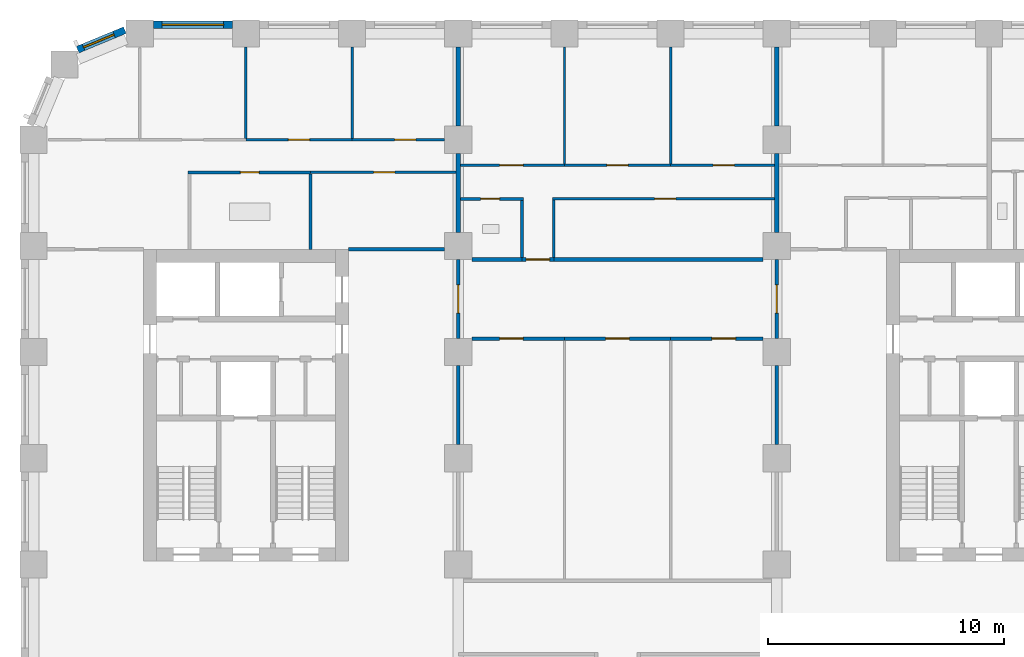
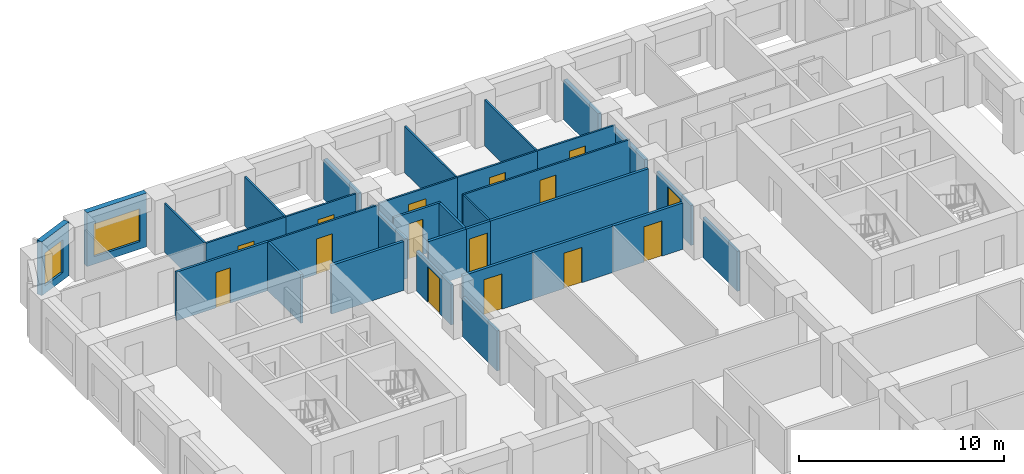
# One storey, part 7 of 13: 33 walls, 15 doors, 2 windows, 17 openings.
"""IFC4 building model written with IfcOpenShell, lengths in metres."""

from ifc_helpers import new_model, si_unit, direction, frame, frame_2d, origin, place, context, subcontext, project, spatial, rectangle, extrude, material, layer, layer_set, type_object, element, fill, save


model = new_model("IFC4")

# Units and contexts
model_context = context("Model", 3, precision=1e-05, world=origin(), true_north=direction((0.0, 1.0)))
body_context = subcontext(model_context, "Body", "Model", "MODEL_VIEW")
ifc_project = project(units=[si_unit("LENGTHUNIT", "METRE"), si_unit("AREAUNIT", "SQUARE_METRE"), si_unit("VOLUMEUNIT", "CUBIC_METRE"), si_unit("PLANEANGLEUNIT", "RADIAN"), si_unit("MASSUNIT", "GRAM", prefix="KILO")], contexts=[model_context])

# Site, building, storey
site_placement = place(None, origin())
site = spatial("IfcSite", under=ifc_project, at=site_placement, CompositionType="ELEMENT")
building_placement = place(site_placement, origin())
building = spatial("IfcBuilding", under=site, at=building_placement, Name="Girih Gate Residences", CompositionType="ELEMENT")
storey_placement = place(building_placement, frame((0.0, 0.0, 89.60009765625)))
storey = spatial("IfcBuildingStorey", under=building, at=storey_placement, Name="L24", CompositionType="ELEMENT", Elevation=89.60009765625)

# Walls
ifc_material_1 = material(Name="Gypsum board on steel studs", Category="steel")
ifc_layer_1 = layer(ifc_material_1, 0.14990234375)
ifc_layer_set_1 = layer_set([ifc_layer_1], Name="Compartment wall 150 mm")
wall_type_1 = type_object("IfcWallType", Name="Compartment wall 150 mm", PredefinedType="PARTITIONING", material=ifc_layer_set_1)
wall_1_placement = place(storey_placement, frame((13.35009765625, 40.35009765625, 0.0), z_axis=(0.0, 0.0, 1.0), x_axis=(1.0, 0.0, 0.0)))
element("IfcWall", 1, at=wall_1_placement, inside=storey, type_object=wall_type_1, Name="L24 partition", PredefinedType="PARTITIONING", context=body_context, shape_type="SweptSolid", body=[
    extrude(rectangle(XDim=4.074951171875, YDim=0.14990234375, at=frame_2d((2.03759765625, 0.0))), origin(), (0.0, 0.0, 1.0), 2.89990234375),
])
wall_2_placement = place(storey_placement, frame((18.574951171875, 39.925048828125, 0.0), z_axis=(0.0, 0.0, 1.0), x_axis=(1.0, 0.0, 0.0)))
element("IfcWall", 2, at=wall_2_placement, inside=storey, type_object=wall_type_1, Name="L24 partition", PredefinedType="PARTITIONING", context=body_context, shape_type="SweptSolid", body=[
    extrude(rectangle(XDim=2.125, YDim=0.14990234375, at=frame_2d((1.0625, 0.0))), origin(), (0.0, 0.0, 1.0), 2.75),
])

# Wall, opening, door
wall_3_placement = place(storey_placement, frame((20.699951171875, 39.925048828125, 0.0), z_axis=(0.0, 0.0, 1.0), x_axis=(1.0, 0.0, 0.0)))
wall_3 = element("IfcWall", 3, at=wall_3_placement, inside=storey, type_object=wall_type_1, Name="L24 partition", PredefinedType="PARTITIONING", context=body_context, shape_type="SweptSolid", body=[
    extrude(rectangle(XDim=1.35009765625, YDim=0.14990234375, at=frame_2d((0.675048828125, 0.0))), origin(), (0.0, 0.0, 1.0), 2.75),
])
opening_1_placement = place(wall_3_placement, frame((0.175048828125, 0.0, 0.0)))
opening_1 = element("IfcOpeningElement", 4, at=opening_1_placement, cuts=wall_3, Name="Opening A24-040", PredefinedType="OPENING", context=body_context, shape_type="SweptSolid", body=[
    extrude(rectangle(XDim=1.0, YDim=2.10009765625, at=frame_2d((0.5, 1.050048828125))), frame((0.0, 0.0849609375, 0.0), z_axis=(0.0, -1.0, 0.0), x_axis=(1.0, 0.0, 0.0)), (0.0, 0.0, 1.0), 0.169921875),
])
ifc_material_2 = material(Name="Timber, fire-rated core", Category="wood")
door_type_1 = type_object("IfcDoorType", Name="Flat entrance door 1000x2100 FD30S", OperationType="NOTDEFINED", PredefinedType="DOOR", material=ifc_material_2)
door_1_placement = place(opening_1_placement, origin())
door_1 = element("IfcDoor", 5, at=door_1_placement, inside=storey, type_object=door_type_1, Name="Door A24-040", OperationType="SINGLE_SWING_RIGHT", OverallHeight=2.10009765625, OverallWidth=1.0, PredefinedType="DOOR", context=body_context, shape_type="SweptSolid", body=[
    extrude(rectangle(XDim=1.0, YDim=2.10009765625, at=frame_2d((0.5, 1.050048828125))), frame((0.0, 0.02490234375, 0.0), z_axis=(0.0, -1.0, 0.0), x_axis=(1.0, 0.0, 0.0)), (0.0, 0.0, 1.0), 0.050048828125),
])
fill(opening_1, door_1)

# Wall
wall_4_placement = place(storey_placement, frame((22.050048828125, 39.925048828125, 0.0), z_axis=(0.0, 0.0, 1.0), x_axis=(1.0, 0.0, 0.0)))
element("IfcWall", 6, at=wall_4_placement, inside=storey, type_object=wall_type_1, Name="L24 partition", PredefinedType="PARTITIONING", context=body_context, shape_type="SweptSolid", body=[
    extrude(rectangle(XDim=8.875, YDim=0.14990234375, at=frame_2d((4.4375, 0.0))), origin(), (0.0, 0.0, 1.0), 2.75),
])

# Wall, opening, door
wall_5_placement = place(storey_placement, frame((22.5, 36.574951171875, 0.0), z_axis=(0.0, 0.0, 1.0), x_axis=(-1.0, 0.0, 0.0)))
wall_5 = element("IfcWall", 7, at=wall_5_placement, inside=storey, type_object=wall_type_1, Name="L24 partition", PredefinedType="PARTITIONING", context=body_context, shape_type="SweptSolid", body=[
    extrude(rectangle(XDim=3.925048828125, YDim=0.14990234375, at=frame_2d((1.96240234375, 0.0))), origin(), (0.0, 0.0, 1.0), 2.75),
])
opening_2_placement = place(wall_5_placement, frame((1.75, 0.0, 0.0)))
opening_2 = element("IfcOpeningElement", 8, at=opening_2_placement, cuts=wall_5, Name="Opening A24-041", PredefinedType="OPENING", context=body_context, shape_type="SweptSolid", body=[
    extrude(rectangle(XDim=1.0, YDim=2.10009765625, at=frame_2d((0.5, 1.050048828125))), frame((0.0, 0.0849609375, 0.0), z_axis=(0.0, -1.0, 0.0), x_axis=(1.0, 0.0, 0.0)), (0.0, 0.0, 1.0), 0.169921875),
])
door_type_2 = type_object("IfcDoorType", Name="Amenity room door 1000x2100 FD30S", OperationType="NOTDEFINED", PredefinedType="DOOR", material=ifc_material_2)
door_2_placement = place(opening_2_placement, origin())
door_2 = element("IfcDoor", 9, at=door_2_placement, inside=storey, type_object=door_type_2, Name="Door A24-041", OperationType="SINGLE_SWING_RIGHT", OverallHeight=2.10009765625, OverallWidth=1.0, PredefinedType="DOOR", context=body_context, shape_type="SweptSolid", body=[
    extrude(rectangle(XDim=1.0, YDim=2.10009765625, at=frame_2d((0.5, 1.050048828125))), frame((0.0, 0.02490234375, 0.0), z_axis=(0.0, -1.0, 0.0), x_axis=(1.0, 0.0, 0.0)), (0.0, 0.0, 1.0), 0.050048828125),
])
fill(opening_2, door_2)

wall_6_placement = place(storey_placement, frame((27.0, 36.574951171875, 0.0), z_axis=(0.0, 0.0, 1.0), x_axis=(-1.0, 0.0, 0.0)))
wall_6 = element("IfcWall", 10, at=wall_6_placement, inside=storey, type_object=wall_type_1, Name="L24 partition", PredefinedType="PARTITIONING", context=body_context, shape_type="SweptSolid", body=[
    extrude(rectangle(XDim=4.5, YDim=0.14990234375, at=frame_2d((2.25, 0.0))), origin(), (0.0, 0.0, 1.0), 2.75),
])
opening_3_placement = place(wall_6_placement, frame((1.75, 0.0, 0.0)))
opening_3 = element("IfcOpeningElement", 11, at=opening_3_placement, cuts=wall_6, Name="Opening A24-042", PredefinedType="OPENING", context=body_context, shape_type="SweptSolid", body=[
    extrude(rectangle(XDim=1.0, YDim=2.10009765625, at=frame_2d((0.5, 1.050048828125))), frame((0.0, 0.0849609375, 0.0), z_axis=(0.0, -1.0, 0.0), x_axis=(1.0, 0.0, 0.0)), (0.0, 0.0, 1.0), 0.169921875),
])
door_3_placement = place(opening_3_placement, origin())
door_3 = element("IfcDoor", 12, at=door_3_placement, inside=storey, type_object=door_type_2, Name="Door A24-042", OperationType="SINGLE_SWING_RIGHT", OverallHeight=2.10009765625, OverallWidth=1.0, PredefinedType="DOOR", context=body_context, shape_type="SweptSolid", body=[
    extrude(rectangle(XDim=1.0, YDim=2.10009765625, at=frame_2d((0.5, 1.050048828125))), frame((0.0, 0.02490234375, 0.0), z_axis=(0.0, -1.0, 0.0), x_axis=(1.0, 0.0, 0.0)), (0.0, 0.0, 1.0), 0.050048828125),
])
fill(opening_3, door_3)

wall_7_placement = place(storey_placement, frame((30.925048828125, 36.574951171875, 0.0), z_axis=(0.0, 0.0, 1.0), x_axis=(-1.0, 0.0, 0.0)))
wall_7 = element("IfcWall", 13, at=wall_7_placement, inside=storey, type_object=wall_type_1, Name="L24 partition", PredefinedType="PARTITIONING", context=body_context, shape_type="SweptSolid", body=[
    extrude(rectangle(XDim=3.925048828125, YDim=0.14990234375, at=frame_2d((1.96240234375, 0.0))), origin(), (0.0, 0.0, 1.0), 2.75),
])
opening_4_placement = place(wall_7_placement, frame((1.175048828125, 0.0, 0.0)))
opening_4 = element("IfcOpeningElement", 14, at=opening_4_placement, cuts=wall_7, Name="Opening A24-043", PredefinedType="OPENING", context=body_context, shape_type="SweptSolid", body=[
    extrude(rectangle(XDim=1.0, YDim=2.10009765625, at=frame_2d((0.5, 1.050048828125))), frame((0.0, 0.0849609375, 0.0), z_axis=(0.0, -1.0, 0.0), x_axis=(1.0, 0.0, 0.0)), (0.0, 0.0, 1.0), 0.169921875),
])
door_4_placement = place(opening_4_placement, origin())
door_4 = element("IfcDoor", 15, at=door_4_placement, inside=storey, type_object=door_type_2, Name="Door A24-043", OperationType="SINGLE_SWING_LEFT", OverallHeight=2.10009765625, OverallWidth=1.0, PredefinedType="DOOR", context=body_context, shape_type="SweptSolid", body=[
    extrude(rectangle(XDim=1.0, YDim=2.10009765625, at=frame_2d((0.5, 1.050048828125))), frame((0.0, 0.02490234375, 0.0), z_axis=(0.0, -1.0, 0.0), x_axis=(1.0, 0.0, 0.0)), (0.0, 0.0, 1.0), 0.050048828125),
])
fill(opening_4, door_4)

wall_8_placement = place(storey_placement, frame((31.5, 36.574951171875, 0.0), z_axis=(0.0, 0.0, 1.0), x_axis=(0.0, 1.0, 0.0)))
wall_8 = element("IfcWall", 16, at=wall_8_placement, inside=storey, type_object=wall_type_1, Name="L24 partition", PredefinedType="PARTITIONING", context=body_context, shape_type="SweptSolid", body=[
    extrude(rectangle(XDim=3.35009765625, YDim=0.14990234375, at=frame_2d((1.675048828125, 0.0))), origin(), (0.0, 0.0, 1.0), 2.3798828125),
])
opening_5_placement = place(wall_8_placement, frame((1.074951171875, 0.0, 0.0)))
opening_5 = element("IfcOpeningElement", 17, at=opening_5_placement, cuts=wall_8, Name="Opening A24-044", PredefinedType="OPENING", context=body_context, shape_type="SweptSolid", body=[
    extrude(rectangle(XDim=1.199951171875, YDim=2.10009765625, at=frame_2d((0.60009765625, 1.050048828125))), frame((0.0, 0.0849609375, 0.0), z_axis=(0.0, -1.0, 0.0), x_axis=(1.0, 0.0, 0.0)), (0.0, 0.0, 1.0), 0.169921875),
])
door_type_3 = type_object("IfcDoorType", Name="Corridor fire door 1200x2100 FD30S", OperationType="NOTDEFINED", PredefinedType="DOOR", material=ifc_material_2)
door_5_placement = place(opening_5_placement, origin())
door_5 = element("IfcDoor", 18, at=door_5_placement, inside=storey, type_object=door_type_3, Name="Door A24-044", OperationType="SINGLE_SWING_LEFT", OverallHeight=2.10009765625, OverallWidth=1.199951171875, PredefinedType="DOOR", context=body_context, shape_type="SweptSolid", body=[
    extrude(rectangle(XDim=1.199951171875, YDim=2.10009765625, at=frame_2d((0.60009765625, 1.050048828125))), frame((0.0, 0.02490234375, 0.0), z_axis=(0.0, -1.0, 0.0), x_axis=(1.0, 0.0, 0.0)), (0.0, 0.0, 1.0), 0.050048828125),
])
fill(opening_5, door_5)

wall_9_placement = place(storey_placement, frame((18.0, 39.925048828125, 0.0), z_axis=(0.0, 0.0, 1.0), x_axis=(0.0, -1.0, 0.0)))
wall_9 = element("IfcWall", 19, at=wall_9_placement, inside=storey, type_object=wall_type_1, Name="L24 partition", PredefinedType="PARTITIONING", context=body_context, shape_type="SweptSolid", body=[
    extrude(rectangle(XDim=3.35009765625, YDim=0.14990234375, at=frame_2d((1.675048828125, 0.0))), origin(), (0.0, 0.0, 1.0), 2.3798828125),
])
opening_6_placement = place(wall_9_placement, frame((1.074951171875, 0.0, 0.0)))
opening_6 = element("IfcOpeningElement", 20, at=opening_6_placement, cuts=wall_9, Name="Opening A24-045", PredefinedType="OPENING", context=body_context, shape_type="SweptSolid", body=[
    extrude(rectangle(XDim=1.199951171875, YDim=2.10009765625, at=frame_2d((0.60009765625, 1.050048828125))), frame((0.0, 0.0849609375, 0.0), z_axis=(0.0, -1.0, 0.0), x_axis=(1.0, 0.0, 0.0)), (0.0, 0.0, 1.0), 0.169921875),
])
door_6_placement = place(opening_6_placement, origin())
door_6 = element("IfcDoor", 21, at=door_6_placement, inside=storey, type_object=door_type_3, Name="Door A24-045", OperationType="SINGLE_SWING_LEFT", OverallHeight=2.10009765625, OverallWidth=1.199951171875, PredefinedType="DOOR", context=body_context, shape_type="SweptSolid", body=[
    extrude(rectangle(XDim=1.199951171875, YDim=2.10009765625, at=frame_2d((0.60009765625, 1.050048828125))), frame((0.0, 0.02490234375, 0.0), z_axis=(0.0, -1.0, 0.0), x_axis=(1.0, 0.0, 0.0)), (0.0, 0.0, 1.0), 0.050048828125),
])
fill(opening_6, door_6)

# Walls
for number, where, z_axis, x_axis, name in (
    (22, (18.0, 32.074951171875, 0.0), (0.0, 0.0, 1.0), (0.0, 1.0, 0.0), "L24 partition"),
    (23, (31.5, 32.074951171875, 0.0), (0.0, 0.0, 1.0), (0.0, 1.0, 0.0), "L24 partition"),
):
    element("IfcWall", number, at=place(storey_placement, frame(where, z_axis=z_axis, x_axis=x_axis)), inside=storey, type_object=wall_type_1, Name=name, PredefinedType="PARTITIONING", context=body_context, shape_type="SweptSolid", body=[
        extrude(rectangle(XDim=3.35009765625, YDim=0.14990234375, at=frame_2d((1.675048828125, 0.0))), origin(), (0.0, 0.0, 1.0), 2.3798828125),
    ])
ifc_layer_2 = layer(ifc_material_1, 0.10009765625)
ifc_layer_set_2 = layer_set([ifc_layer_2], Name="Partition 100 mm")
wall_type_2 = type_object("IfcWallType", Name="Partition 100 mm", PredefinedType="PARTITIONING", material=ifc_layer_set_2)
for number, where, z_axis, x_axis, name in (
    (24, (9.0, 45.050048828125, 0.0), (0.0, 0.0, 1.0), (0.0, 1.0, 0.0), "L24 partition"),
    (25, (13.5, 45.050048828125, 0.0), (0.0, 0.0, 1.0), (0.0, 1.0, 0.0), "L24 partition"),
):
    element("IfcWall", number, at=place(storey_placement, frame(where, z_axis=z_axis, x_axis=x_axis)), inside=storey, type_object=wall_type_2, Name=name, PredefinedType="PARTITIONING", context=body_context, shape_type="SweptSolid", body=[
        extrude(rectangle(XDim=3.875, YDim=0.10009765625, at=frame_2d((1.9375, 0.0))), origin(), (0.0, 0.0, 1.0), 2.89990234375),
    ])

# Wall, opening, door
wall_10_placement = place(storey_placement, frame((9.0, 45.0, 0.0), z_axis=(0.0, 0.0, 1.0), x_axis=(1.0, 0.0, 0.0)))
wall_10 = element("IfcWall", 26, at=wall_10_placement, inside=storey, type_object=wall_type_2, Name="L24 partition", PredefinedType="PARTITIONING", context=body_context, shape_type="SweptSolid", body=[
    extrude(rectangle(XDim=4.5, YDim=0.10009765625, at=frame_2d((2.25, 0.0))), origin(), (0.0, 0.0, 1.0), 2.89990234375),
])
opening_7_placement = place(wall_10_placement, frame((1.800048828125, 0.0, 0.0)))
opening_7 = element("IfcOpeningElement", 27, at=opening_7_placement, cuts=wall_10, Name="Opening A24-010", PredefinedType="OPENING", context=body_context, shape_type="SweptSolid", body=[
    extrude(rectangle(XDim=0.89990234375, YDim=2.10009765625, at=frame_2d((0.449951171875, 1.050048828125))), frame((0.0, 0.06005859375, 0.0), z_axis=(0.0, -1.0, 0.0), x_axis=(1.0, 0.0, 0.0)), (0.0, 0.0, 1.0), 0.1201171875),
])
ifc_material_3 = material(Name="Timber", Category="wood")
door_type_4 = type_object("IfcDoorType", Name="Bedroom door 900x2100", OperationType="NOTDEFINED", PredefinedType="DOOR", material=ifc_material_3)
door_7_placement = place(opening_7_placement, origin())
door_7 = element("IfcDoor", 28, at=door_7_placement, inside=storey, type_object=door_type_4, Name="Door A24-010", OperationType="SINGLE_SWING_LEFT", OverallHeight=2.10009765625, OverallWidth=0.89990234375, PredefinedType="DOOR", context=body_context, shape_type="SweptSolid", body=[
    extrude(rectangle(XDim=0.89990234375, YDim=2.10009765625, at=frame_2d((0.449951171875, 1.050048828125))), frame((0.0, 0.02490234375, 0.0), z_axis=(0.0, -1.0, 0.0), x_axis=(1.0, 0.0, 0.0)), (0.0, 0.0, 1.0), 0.050048828125),
])
fill(opening_7, door_7)

wall_11_placement = place(storey_placement, frame((13.5, 45.0, 0.0), z_axis=(0.0, 0.0, 1.0), x_axis=(1.0, 0.0, 0.0)))
wall_11 = element("IfcWall", 29, at=wall_11_placement, inside=storey, type_object=wall_type_2, Name="L24 partition", PredefinedType="PARTITIONING", context=body_context, shape_type="SweptSolid", body=[
    extrude(rectangle(XDim=3.925048828125, YDim=0.10009765625, at=frame_2d((1.96240234375, 0.0))), origin(), (0.0, 0.0, 1.0), 2.89990234375),
])
opening_8_placement = place(wall_11_placement, frame((1.800048828125, 0.0, 0.0)))
opening_8 = element("IfcOpeningElement", 30, at=opening_8_placement, cuts=wall_11, Name="Opening A24-011", PredefinedType="OPENING", context=body_context, shape_type="SweptSolid", body=[
    extrude(rectangle(XDim=0.89990234375, YDim=2.10009765625, at=frame_2d((0.449951171875, 1.050048828125))), frame((0.0, 0.06005859375, 0.0), z_axis=(0.0, -1.0, 0.0), x_axis=(1.0, 0.0, 0.0)), (0.0, 0.0, 1.0), 0.1201171875),
])
door_8_placement = place(opening_8_placement, origin())
door_8 = element("IfcDoor", 31, at=door_8_placement, inside=storey, type_object=door_type_4, Name="Door A24-011", OperationType="SINGLE_SWING_RIGHT", OverallHeight=2.10009765625, OverallWidth=0.89990234375, PredefinedType="DOOR", context=body_context, shape_type="SweptSolid", body=[
    extrude(rectangle(XDim=0.89990234375, YDim=2.10009765625, at=frame_2d((0.449951171875, 1.050048828125))), frame((0.0, 0.02490234375, 0.0), z_axis=(0.0, -1.0, 0.0), x_axis=(1.0, 0.0, 0.0)), (0.0, 0.0, 1.0), 0.050048828125),
])
fill(opening_8, door_8)

wall_12_placement = place(storey_placement, frame((17.89990234375, 43.6201171875, 0.0), z_axis=(0.0, 0.0, 1.0), x_axis=(-1.0, 0.0, 0.0)))
wall_12 = element("IfcWall", 32, at=wall_12_placement, inside=storey, type_object=wall_type_2, Name="L24 partition", PredefinedType="PARTITIONING", context=body_context, shape_type="SweptSolid", body=[
    extrude(rectangle(XDim=6.171875, YDim=0.10009765625, at=frame_2d((3.0859375, 0.0))), origin(), (0.0, 0.0, 1.0), 2.89990234375),
])
opening_9_placement = place(wall_12_placement, frame((2.5859375, 0.0, 0.0)))
opening_9 = element("IfcOpeningElement", 33, at=opening_9_placement, cuts=wall_12, Name="Opening A24-012", PredefinedType="OPENING", context=body_context, shape_type="SweptSolid", body=[
    extrude(rectangle(XDim=0.89990234375, YDim=2.10009765625, at=frame_2d((0.449951171875, 1.050048828125))), frame((0.0, 0.06005859375, 0.0), z_axis=(0.0, -1.0, 0.0), x_axis=(1.0, 0.0, 0.0)), (0.0, 0.0, 1.0), 0.1201171875),
])
door_type_5 = type_object("IfcDoorType", Name="Kitchen door 900x2100", OperationType="NOTDEFINED", PredefinedType="DOOR", material=ifc_material_3)
door_9_placement = place(opening_9_placement, origin())
door_9 = element("IfcDoor", 34, at=door_9_placement, inside=storey, type_object=door_type_5, Name="Door A24-012", OperationType="SINGLE_SWING_LEFT", OverallHeight=2.10009765625, OverallWidth=0.89990234375, PredefinedType="DOOR", context=body_context, shape_type="SweptSolid", body=[
    extrude(rectangle(XDim=0.89990234375, YDim=2.10009765625, at=frame_2d((0.449951171875, 1.050048828125))), frame((0.0, 0.02490234375, 0.0), z_axis=(0.0, -1.0, 0.0), x_axis=(1.0, 0.0, 0.0)), (0.0, 0.0, 1.0), 0.050048828125),
])
fill(opening_9, door_9)

# Wall
wall_13_placement = place(storey_placement, frame((27.0, 43.965087890625, 0.0), z_axis=(0.0, 0.0, 1.0), x_axis=(0.0, 1.0, 0.0)))
element("IfcWall", 35, at=wall_13_placement, inside=storey, type_object=wall_type_2, Name="L24 partition", PredefinedType="PARTITIONING", context=body_context, shape_type="SweptSolid", body=[
    extrude(rectangle(XDim=4.9599609375, YDim=0.10009765625, at=frame_2d((2.47998046875, 0.0))), origin(), (0.0, 0.0, 1.0), 2.75),
])

# Wall, opening, door
wall_14_placement = place(storey_placement, frame((22.5, 43.9150390625, 0.0), z_axis=(0.0, 0.0, 1.0), x_axis=(1.0, 0.0, 0.0)))
wall_14 = element("IfcWall", 36, at=wall_14_placement, inside=storey, type_object=wall_type_2, Name="L24 partition", PredefinedType="PARTITIONING", context=body_context, shape_type="SweptSolid", body=[
    extrude(rectangle(XDim=4.5, YDim=0.10009765625, at=frame_2d((2.25, 0.0))), origin(), (0.0, 0.0, 1.0), 2.75),
])
opening_10_placement = place(wall_14_placement, frame((1.800048828125, 0.0, 0.0)))
opening_10 = element("IfcOpeningElement", 37, at=opening_10_placement, cuts=wall_14, Name="Opening A24-036", PredefinedType="OPENING", context=body_context, shape_type="SweptSolid", body=[
    extrude(rectangle(XDim=0.89990234375, YDim=2.10009765625, at=frame_2d((0.449951171875, 1.050048828125))), frame((0.0, 0.06005859375, 0.0), z_axis=(0.0, -1.0, 0.0), x_axis=(1.0, 0.0, 0.0)), (0.0, 0.0, 1.0), 0.1201171875),
])
door_10_placement = place(opening_10_placement, origin())
door_10 = element("IfcDoor", 38, at=door_10_placement, inside=storey, type_object=door_type_4, Name="Door A24-036", OperationType="SINGLE_SWING_LEFT", OverallHeight=2.10009765625, OverallWidth=0.89990234375, PredefinedType="DOOR", context=body_context, shape_type="SweptSolid", body=[
    extrude(rectangle(XDim=0.89990234375, YDim=2.10009765625, at=frame_2d((0.449951171875, 1.050048828125))), frame((0.0, 0.02490234375, 0.0), z_axis=(0.0, -1.0, 0.0), x_axis=(1.0, 0.0, 0.0)), (0.0, 0.0, 1.0), 0.050048828125),
])
fill(opening_10, door_10)

# Wall
wall_15_placement = place(storey_placement, frame((22.5, 43.965087890625, 0.0), z_axis=(0.0, 0.0, 1.0), x_axis=(0.0, 1.0, 0.0)))
element("IfcWall", 39, at=wall_15_placement, inside=storey, type_object=wall_type_2, Name="L24 partition", PredefinedType="PARTITIONING", context=body_context, shape_type="SweptSolid", body=[
    extrude(rectangle(XDim=4.9599609375, YDim=0.10009765625, at=frame_2d((2.47998046875, 0.0))), origin(), (0.0, 0.0, 1.0), 2.75),
])

# Wall, opening, door
wall_16_placement = place(storey_placement, frame((27.0, 43.9150390625, 0.0), z_axis=(0.0, 0.0, 1.0), x_axis=(1.0, 0.0, 0.0)))
wall_16 = element("IfcWall", 40, at=wall_16_placement, inside=storey, type_object=wall_type_2, Name="L24 partition", PredefinedType="PARTITIONING", context=body_context, shape_type="SweptSolid", body=[
    extrude(rectangle(XDim=4.39990234375, YDim=0.10009765625, at=frame_2d((2.199951171875, 0.0))), origin(), (0.0, 0.0, 1.0), 2.75),
])
opening_11_placement = place(wall_16_placement, frame((1.800048828125, 0.0, 0.0)))
opening_11 = element("IfcOpeningElement", 41, at=opening_11_placement, cuts=wall_16, Name="Opening A24-037", PredefinedType="OPENING", context=body_context, shape_type="SweptSolid", body=[
    extrude(rectangle(XDim=0.89990234375, YDim=2.10009765625, at=frame_2d((0.449951171875, 1.050048828125))), frame((0.0, 0.06005859375, 0.0), z_axis=(0.0, -1.0, 0.0), x_axis=(1.0, 0.0, 0.0)), (0.0, 0.0, 1.0), 0.1201171875),
])
door_11_placement = place(opening_11_placement, origin())
door_11 = element("IfcDoor", 42, at=door_11_placement, inside=storey, type_object=door_type_4, Name="Door A24-037", OperationType="SINGLE_SWING_RIGHT", OverallHeight=2.10009765625, OverallWidth=0.89990234375, PredefinedType="DOOR", context=body_context, shape_type="SweptSolid", body=[
    extrude(rectangle(XDim=0.89990234375, YDim=2.10009765625, at=frame_2d((0.449951171875, 1.050048828125))), frame((0.0, 0.02490234375, 0.0), z_axis=(0.0, -1.0, 0.0), x_axis=(1.0, 0.0, 0.0)), (0.0, 0.0, 1.0), 0.050048828125),
])
fill(opening_11, door_11)

wall_17_placement = place(storey_placement, frame((31.39990234375, 42.4951171875, 0.0), z_axis=(0.0, 0.0, 1.0), x_axis=(-1.0, 0.0, 0.0)))
wall_17 = element("IfcWall", 43, at=wall_17_placement, inside=storey, type_object=wall_type_2, Name="L24 partition", PredefinedType="PARTITIONING", context=body_context, shape_type="SweptSolid", body=[
    extrude(rectangle(XDim=9.39990234375, YDim=0.10009765625, at=frame_2d((4.699951171875, 0.0))), origin(), (0.0, 0.0, 1.0), 2.75),
])
opening_12_placement = place(wall_17_placement, frame((4.175048828125, 0.0, 0.0)))
opening_12 = element("IfcOpeningElement", 44, at=opening_12_placement, cuts=wall_17, Name="Opening A24-038", PredefinedType="OPENING", context=body_context, shape_type="SweptSolid", body=[
    extrude(rectangle(XDim=0.89990234375, YDim=2.10009765625, at=frame_2d((0.449951171875, 1.050048828125))), frame((0.0, 0.06005859375, 0.0), z_axis=(0.0, -1.0, 0.0), x_axis=(1.0, 0.0, 0.0)), (0.0, 0.0, 1.0), 0.1201171875),
])
door_12_placement = place(opening_12_placement, origin())
door_12 = element("IfcDoor", 45, at=door_12_placement, inside=storey, type_object=door_type_5, Name="Door A24-038", OperationType="SINGLE_SWING_LEFT", OverallHeight=2.10009765625, OverallWidth=0.89990234375, PredefinedType="DOOR", context=body_context, shape_type="SweptSolid", body=[
    extrude(rectangle(XDim=0.89990234375, YDim=2.10009765625, at=frame_2d((0.449951171875, 1.050048828125))), frame((0.0, 0.02490234375, 0.0), z_axis=(0.0, -1.0, 0.0), x_axis=(1.0, 0.0, 0.0)), (0.0, 0.0, 1.0), 0.050048828125),
])
fill(opening_12, door_12)

# Wall
wall_18_placement = place(storey_placement, frame((22.050048828125, 40.0, 0.0), z_axis=(0.0, 0.0, 1.0), x_axis=(0.0, 1.0, 0.0)))
element("IfcWall", 46, at=wall_18_placement, inside=storey, type_object=wall_type_2, Name="L24 partition", PredefinedType="PARTITIONING", context=body_context, shape_type="SweptSolid", body=[
    extrude(rectangle(XDim=2.445068359375, YDim=0.10009765625, at=frame_2d((1.22265625, 0.0))), origin(), (0.0, 0.0, 1.0), 2.75),
])

# Wall, opening, door
wall_19_placement = place(storey_placement, frame((18.10009765625, 43.9150390625, 0.0), z_axis=(0.0, 0.0, 1.0), x_axis=(1.0, 0.0, 0.0)))
wall_19 = element("IfcWall", 47, at=wall_19_placement, inside=storey, type_object=wall_type_2, Name="L24 partition", PredefinedType="PARTITIONING", context=body_context, shape_type="SweptSolid", body=[
    extrude(rectangle(XDim=4.39990234375, YDim=0.10009765625, at=frame_2d((2.199951171875, 0.0))), origin(), (0.0, 0.0, 1.0), 2.75),
])
opening_13_placement = place(wall_19_placement, frame((1.64990234375, 0.0, 0.0)))
opening_13 = element("IfcOpeningElement", 48, at=opening_13_placement, cuts=wall_19, Name="Opening A24-039", PredefinedType="OPENING", context=body_context, shape_type="SweptSolid", body=[
    extrude(rectangle(XDim=1.0, YDim=2.10009765625, at=frame_2d((0.5, 1.050048828125))), frame((0.0, 0.06005859375, 0.0), z_axis=(0.0, -1.0, 0.0), x_axis=(1.0, 0.0, 0.0)), (0.0, 0.0, 1.0), 0.1201171875),
])
door_type_6 = type_object("IfcDoorType", Name="Living room door 1000x2100", OperationType="NOTDEFINED", PredefinedType="DOOR", material=ifc_material_3)
door_13_placement = place(opening_13_placement, origin())
door_13 = element("IfcDoor", 49, at=door_13_placement, inside=storey, type_object=door_type_6, Name="Door A24-039", OperationType="SINGLE_SWING_LEFT", OverallHeight=2.10009765625, OverallWidth=1.0, PredefinedType="DOOR", context=body_context, shape_type="SweptSolid", body=[
    extrude(rectangle(XDim=1.0, YDim=2.10009765625, at=frame_2d((0.5, 1.050048828125))), frame((0.0, 0.02490234375, 0.0), z_axis=(0.0, -1.0, 0.0), x_axis=(1.0, 0.0, 0.0)), (0.0, 0.0, 1.0), 0.050048828125),
])
fill(opening_13, door_13)

# Walls
ifc_layer_3 = layer(ifc_material_1, 0.199951171875)
ifc_layer_set_3 = layer_set([ifc_layer_3], Name="Party wall 200 mm")
wall_type_3 = type_object("IfcWallType", Name="Party wall 200 mm", PredefinedType="PARTITIONING", material=ifc_layer_set_3)
for number, where, z_axis, x_axis, name in (
    (50, (18.0, 45.574951171875, 0.0), (0.0, 0.0, 1.0), (0.0, 1.0, 0.0), "L24 partition"),
    (51, (18.0, 41.074951171875, 0.0), (0.0, 0.0, 1.0), (0.0, 1.0, 0.0), "L24 partition"),
    (52, (31.5, 41.074951171875, 0.0), (0.0, 0.0, 1.0), (0.0, 1.0, 0.0), "L24 partition"),
    (53, (31.5, 45.574951171875, 0.0), (0.0, 0.0, 1.0), (0.0, 1.0, 0.0), "L24 partition"),
):
    element("IfcWall", number, at=place(storey_placement, frame(where, z_axis=z_axis, x_axis=x_axis)), inside=storey, type_object=wall_type_3, Name=name, PredefinedType="PARTITIONING", context=body_context, shape_type="SweptSolid", body=[
        extrude(rectangle(XDim=3.35009765625, YDim=0.199951171875, at=frame_2d((1.675048828125, 0.0))), origin(), (0.0, 0.0, 1.0), 2.3798828125),
    ])

# Wall, opening, window
ifc_material_4 = material(Name="Precast concrete C50/60", Category="concrete")
ifc_layer_4 = layer(ifc_material_4, 0.080078125, Name="Outer leaf")
ifc_material_5 = material(Name="Rigid PIR insulation")
ifc_layer_5 = layer(ifc_material_5, 0.14990234375, Name="Insulation")
ifc_material_6 = material(Name="Precast concrete C40/50", Category="concrete")
ifc_layer_6 = layer(ifc_material_6, 0.070068359375, Name="Inner leaf")
ifc_layer_set_4 = layer_set([ifc_layer_4, ifc_layer_5, ifc_layer_6], Name="Precast concrete C50/60 external wall 300")
wall_type_4 = type_object("IfcWallType", Name="Precast concrete C50/60 external wall 300", PredefinedType="SOLIDWALL", material=ifc_layer_set_4)
wall_20_placement = place(storey_placement, frame((5.074951171875, 49.875, 0.0), z_axis=(0.0, 0.0, 1.0), x_axis=(1.0, 0.0, 0.0)))
wall_20 = element("IfcWall", 54, at=wall_20_placement, inside=storey, type_object=wall_type_4, Name="External wall N0450_0495.8", PredefinedType="SOLIDWALL", context=body_context, shape_type="SweptSolid", body=[
    extrude(rectangle(XDim=3.35009765625, YDim=0.300048828125, at=frame_2d((1.675048828125, 0.0))), origin(), (0.0, 0.0, 1.0), 3.199951171875),
])
opening_14_placement = place(wall_20_placement, frame((0.375, 0.0, 0.449951171875)))
opening_14 = element("IfcOpeningElement", 55, at=opening_14_placement, cuts=wall_20, Name="Opening W-1A", PredefinedType="OPENING", context=body_context, shape_type="SweptSolid", body=[
    extrude(rectangle(XDim=2.60009765625, YDim=1.949951171875, at=frame_2d((1.300048828125, 0.97509765625))), frame((0.0, 0.159912109375, 0.0), z_axis=(0.0, -1.0, 0.0), x_axis=(1.0, 0.0, 0.0)), (0.0, 0.0, 1.0), 0.320068359375),
])
ifc_material_7 = material(Name="Double glazing in aluminium frame", Category="aluminium")
window_type_1 = type_object("IfcWindowType", Name="Window W-1A 2600x1950", PartitioningType="SINGLE_PANEL", PredefinedType="WINDOW", material=ifc_material_7)
window_1_placement = place(opening_14_placement, origin())
window_1 = element("IfcWindow", 56, at=window_1_placement, inside=storey, type_object=window_type_1, Name="Window W-1A N0450_0495.8", OverallHeight=1.949951171875, OverallWidth=2.60009765625, PartitioningType="SINGLE_PANEL", PredefinedType="WINDOW", context=body_context, shape_type="SweptSolid", body=[
    extrude(rectangle(XDim=2.60009765625, YDim=1.949951171875, at=frame_2d((1.300048828125, 0.97509765625))), frame((0.0, 0.030029296875, 0.0), z_axis=(0.0, -1.0, 0.0), x_axis=(1.0, 0.0, 0.0)), (0.0, 0.0, 1.0), 0.06005859375),
])
fill(opening_14, window_1)

wall_21_placement = place(storey_placement, frame((1.86865234375, 48.81591796875, 0.0), z_axis=(0.0, 0.0, 1.0), x_axis=(0.923862802911, 0.382723818695, 0.0)))
wall_21 = element("IfcWall", 57, at=wall_21_placement, inside=storey, type_object=wall_type_4, Name="External wall NW0045_0495.0", PredefinedType="SOLIDWALL", context=body_context, shape_type="SweptSolid", body=[
    extrude(rectangle(XDim=2.163818359375, YDim=0.300048828125, at=frame_2d((1.08203125, 0.0))), origin(), (0.0, 0.0, 1.0), 3.199951171875),
])
opening_15_placement = place(wall_21_placement, frame((0.270751953125, 0.0, 0.449951171875)))
opening_15 = element("IfcOpeningElement", 58, at=opening_15_placement, cuts=wall_21, Name="Opening W-2D", PredefinedType="OPENING", context=body_context, shape_type="SweptSolid", body=[
    extrude(rectangle(XDim=1.39990234375, YDim=1.949951171875, at=frame_2d((0.699951171875, 0.97509765625))), frame((0.0, 0.159912109375, 0.0), z_axis=(0.0, -1.0, 0.0), x_axis=(1.0, 0.0, 0.0)), (0.0, 0.0, 1.0), 0.320068359375),
])
window_type_2 = type_object("IfcWindowType", Name="Window W-2D 1400x1950", PartitioningType="SINGLE_PANEL", PredefinedType="WINDOW", material=ifc_material_7)
window_2_placement = place(opening_15_placement, origin())
window_2 = element("IfcWindow", 59, at=window_2_placement, inside=storey, type_object=window_type_2, Name="Window W-2D NW0045_0495.0", OverallHeight=1.949951171875, OverallWidth=1.39990234375, PartitioningType="SINGLE_PANEL", PredefinedType="WINDOW", context=body_context, shape_type="SweptSolid", body=[
    extrude(rectangle(XDim=1.39990234375, YDim=1.949951171875, at=frame_2d((0.699951171875, 0.97509765625))), frame((0.0, 0.030029296875, 0.0), z_axis=(0.0, -1.0, 0.0), x_axis=(1.0, 0.0, 0.0)), (0.0, 0.0, 1.0), 0.06005859375),
])
fill(opening_15, window_2)

# Wall, opening, door
ifc_layer_7 = layer(ifc_material_1, 0.125)
ifc_layer_set_5 = layer_set([ifc_layer_7], Name="Wet room wall 125 mm")
wall_type_5 = type_object("IfcWallType", Name="Wet room wall 125 mm", PredefinedType="PARTITIONING", material=ifc_layer_set_5)
wall_22_placement = place(storey_placement, frame((11.72802734375, 43.6201171875, 0.0), z_axis=(0.0, 0.0, 1.0), x_axis=(-1.0, 0.0, 0.0)))
wall_22 = element("IfcWall", 60, at=wall_22_placement, inside=storey, type_object=wall_type_5, Name="L24 partition", PredefinedType="PARTITIONING", context=body_context, shape_type="SweptSolid", body=[
    extrude(rectangle(XDim=5.1904296875, YDim=0.125, at=frame_2d((2.59521484375, 0.0))), origin(), (0.0, 0.0, 1.0), 2.89990234375),
])
opening_16_placement = place(wall_22_placement, frame((2.1640625, 0.0, 0.0)))
opening_16 = element("IfcOpeningElement", 61, at=opening_16_placement, cuts=wall_22, Name="Opening A24-008", PredefinedType="OPENING", context=body_context, shape_type="SweptSolid", body=[
    extrude(rectangle(XDim=0.800048828125, YDim=2.10009765625, at=frame_2d((0.39990234375, 1.050048828125))), frame((0.0, 0.072509765625, 0.0), z_axis=(0.0, -1.0, 0.0), x_axis=(1.0, 0.0, 0.0)), (0.0, 0.0, 1.0), 0.14501953125),
])
door_type_7 = type_object("IfcDoorType", Name="Bathroom door 800x2100", OperationType="NOTDEFINED", PredefinedType="DOOR", material=ifc_material_3)
door_14_placement = place(opening_16_placement, origin())
door_14 = element("IfcDoor", 62, at=door_14_placement, inside=storey, type_object=door_type_7, Name="Door A24-008", OperationType="SINGLE_SWING_LEFT", OverallHeight=2.10009765625, OverallWidth=0.800048828125, PredefinedType="DOOR", context=body_context, shape_type="SweptSolid", body=[
    extrude(rectangle(XDim=0.800048828125, YDim=2.10009765625, at=frame_2d((0.39990234375, 1.050048828125))), frame((0.0, 0.02490234375, 0.0), z_axis=(0.0, -1.0, 0.0), x_axis=(1.0, 0.0, 0.0)), (0.0, 0.0, 1.0), 0.050048828125),
])
fill(opening_16, door_14)

# Wall
wall_23_placement = place(storey_placement, frame((11.72802734375, 40.35009765625, 0.0), z_axis=(0.0, 0.0, 1.0), x_axis=(0.0, 1.0, 0.0)))
element("IfcWall", 63, at=wall_23_placement, inside=storey, type_object=wall_type_5, Name="L24 partition", PredefinedType="PARTITIONING", context=body_context, shape_type="SweptSolid", body=[
    extrude(rectangle(XDim=3.20751953125, YDim=0.125, at=frame_2d((1.603759765625, 0.0))), origin(), (0.0, 0.0, 1.0), 2.89990234375),
])

# Wall, opening, door
wall_24_placement = place(storey_placement, frame((20.762451171875, 42.4951171875, 0.0), z_axis=(0.0, 0.0, 1.0), x_axis=(-1.0, 0.0, 0.0)))
wall_24 = element("IfcWall", 64, at=wall_24_placement, inside=storey, type_object=wall_type_5, Name="L24 partition", PredefinedType="PARTITIONING", context=body_context, shape_type="SweptSolid", body=[
    extrude(rectangle(XDim=2.662353515625, YDim=0.125, at=frame_2d((1.3310546875, 0.0))), origin(), (0.0, 0.0, 1.0), 2.75),
])
opening_17_placement = place(wall_24_placement, frame((1.012451171875, 0.0, 0.0)))
opening_17 = element("IfcOpeningElement", 65, at=opening_17_placement, cuts=wall_24, Name="Opening A24-035", PredefinedType="OPENING", context=body_context, shape_type="SweptSolid", body=[
    extrude(rectangle(XDim=0.800048828125, YDim=2.10009765625, at=frame_2d((0.39990234375, 1.050048828125))), frame((0.0, 0.072509765625, 0.0), z_axis=(0.0, -1.0, 0.0), x_axis=(1.0, 0.0, 0.0)), (0.0, 0.0, 1.0), 0.14501953125),
])
door_15_placement = place(opening_17_placement, origin())
door_15 = element("IfcDoor", 66, at=door_15_placement, inside=storey, type_object=door_type_7, Name="Door A24-035", OperationType="SINGLE_SWING_RIGHT", OverallHeight=2.10009765625, OverallWidth=0.800048828125, PredefinedType="DOOR", context=body_context, shape_type="SweptSolid", body=[
    extrude(rectangle(XDim=0.800048828125, YDim=2.10009765625, at=frame_2d((0.39990234375, 1.050048828125))), frame((0.0, 0.02490234375, 0.0), z_axis=(0.0, -1.0, 0.0), x_axis=(1.0, 0.0, 0.0)), (0.0, 0.0, 1.0), 0.050048828125),
])
fill(opening_17, door_15)

# Wall
wall_25_placement = place(storey_placement, frame((20.699951171875, 40.0, 0.0), z_axis=(0.0, 0.0, 1.0), x_axis=(0.0, 1.0, 0.0)))
element("IfcWall", 67, at=wall_25_placement, inside=storey, type_object=wall_type_5, Name="L24 partition", PredefinedType="PARTITIONING", context=body_context, shape_type="SweptSolid", body=[
    extrude(rectangle(XDim=2.4326171875, YDim=0.125, at=frame_2d((1.21630859375, 0.0))), origin(), (0.0, 0.0, 1.0), 2.75),
])

save(model, "model.ifc")
